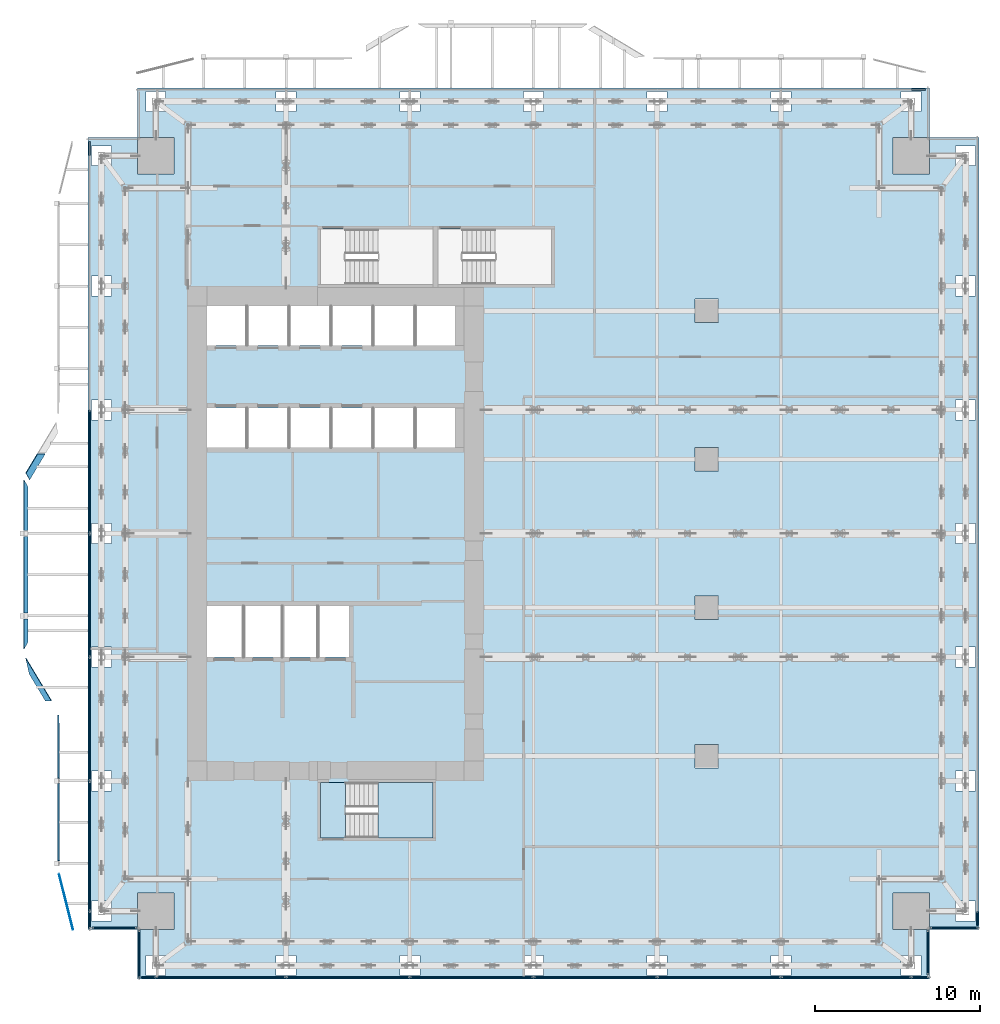
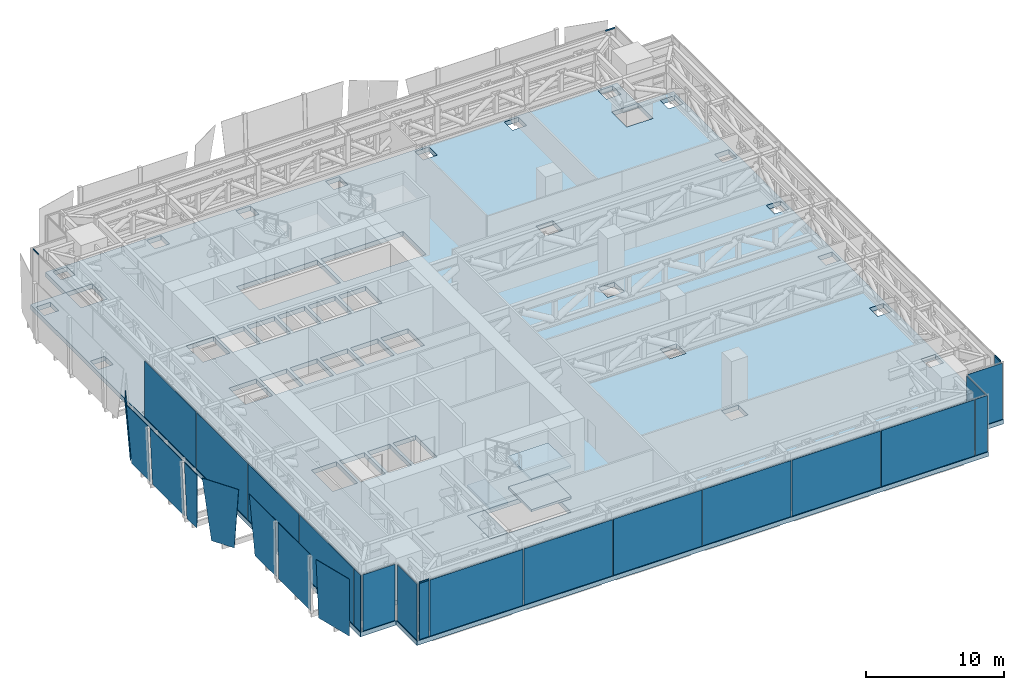
# One storey, part 28 of 39: 26 plates, 5 slabs, 4 members, 9 elements without a shape of their own.
"""IFC4 building model written with IfcOpenShell, lengths in metres."""

from ifc_helpers import new_model, si_unit, direction, frame, origin, origin_2d, place, context, subcontext, project, spatial, polyline, rectangle, hollow_rectangle, outline, extrude, source, transform, mapped, material, layer, layer_set, material_profile, profile_set, type_object, element, aggregate, save


model = new_model("IFC4")

# Units and contexts
model_context = context("Model", 3, precision=1e-05, world=origin(), true_north=direction((0.0, 1.0)))
body_context = subcontext(model_context, "Body", "Model", "MODEL_VIEW")
ifc_project = project(units=[si_unit("LENGTHUNIT", "METRE"), si_unit("AREAUNIT", "SQUARE_METRE"), si_unit("VOLUMEUNIT", "CUBIC_METRE"), si_unit("PLANEANGLEUNIT", "RADIAN"), si_unit("MASSUNIT", "GRAM", prefix="KILO")], contexts=[model_context])

# Site, building, storey
site_placement = place(None, origin())
site = spatial("IfcSite", under=ifc_project, at=site_placement, CompositionType="ELEMENT")
building_placement = place(site_placement, origin())
building = spatial("IfcBuilding", under=site, at=building_placement, Name="Khomas Fold Tower", CompositionType="ELEMENT")
storey_placement = place(building_placement, frame((0.0, 0.0, 96.0)))
storey = spatial("IfcBuildingStorey", under=building, at=storey_placement, Name="L20", CompositionType="ELEMENT", Elevation=96.0)

# Curtain wall, member
ifc_material_1 = material(Name="Aluminium framed double glazing", Category="aluminium")
curtain_wall_type = type_object("IfcCurtainWallType", Name="SK-Plant louvre wall CW4", PredefinedType="NOTDEFINED", material=ifc_material_1)
curtain_wall_1_placement = place(storey_placement, origin())
curtain_wall_1 = element("IfcCurtainWall", 1, at=curtain_wall_1_placement, inside=storey, type_object=curtain_wall_type, Name="CW4 run L20 00-0", PredefinedType="NOTDEFINED")
ifc_material_2 = material(Name="Aluminium", Category="aluminium")
ifc_material_profile = material_profile(ifc_material_2, hollow_rectangle(XDim=0.06005859375, YDim=0.1201171875, WallThickness=0.00390625, at=origin_2d()), Name="SK-Plant louvre wall transom CW4-T")
ifc_profile_set = profile_set([ifc_material_profile], Name="Aluminium")
member_type = type_object("IfcMemberType", Name="SK-Plant louvre wall transom CW4-T", PredefinedType="USERDEFINED", material=ifc_profile_set)
shared_shape_1 = source(origin(), body_context, "Body", "SweptSolid", [
    extrude(hollow_rectangle(XDim=0.06005859375, YDim=0.1201171875, WallThickness=0.00390625, at=origin_2d()), origin(), (0.0, 0.0, 1.0), 0.81005859375),
])
member_1_placement = place(storey_placement, frame((3.260009765625, 0.10009765625, 5.0400390625), z_axis=(1.0, 0.0, 0.0), x_axis=(0.0, 1.0, 0.0)))
member_1 = element("IfcMember", 2, at=member_1_placement, type_object=member_type, Name="CW4 transom 1", ObjectType="TRANSOM", PredefinedType="USERDEFINED", context=body_context, shape_type="MappedRepresentation", body=[
    mapped(shared_shape_1, transform((0.0, 0.0, 0.0))),
])

curtain_wall_2_placement = place(storey_placement, origin())
curtain_wall_2 = element("IfcCurtainWall", 3, at=curtain_wall_2_placement, inside=storey, type_object=curtain_wall_type, Name="CW4 run L20 03-0", PredefinedType="NOTDEFINED")
member_2_placement = place(storey_placement, frame((53.89990234375, 3.260009765625, 5.0400390625), z_axis=(0.0, 1.0, 0.0), x_axis=(-1.0, 0.0, 0.0)))
member_2 = element("IfcMember", 4, at=member_2_placement, type_object=member_type, Name="CW4 transom 1", ObjectType="TRANSOM", PredefinedType="USERDEFINED", context=body_context, shape_type="MappedRepresentation", body=[
    mapped(shared_shape_1, transform((0.0, 0.0, 0.0))),
])

curtain_wall_3_placement = place(storey_placement, origin())
curtain_wall_3 = element("IfcCurtainWall", 5, at=curtain_wall_3_placement, inside=storey, type_object=curtain_wall_type, Name="CW4 run L20 06-0", PredefinedType="NOTDEFINED")
member_3_placement = place(storey_placement, frame((50.739990234375, 53.89990234375, 5.0400390625), z_axis=(-1.0, 0.0, 0.0), x_axis=(0.0, -1.0, 0.0)))
member_3 = element("IfcMember", 6, at=member_3_placement, type_object=member_type, Name="CW4 transom 1", ObjectType="TRANSOM", PredefinedType="USERDEFINED", context=body_context, shape_type="MappedRepresentation", body=[
    mapped(shared_shape_1, transform((0.0, 0.0, 0.0))),
])
aggregate(curtain_wall_3, [member_3])

curtain_wall_4_placement = place(storey_placement, origin())
curtain_wall_4 = element("IfcCurtainWall", 7, at=curtain_wall_4_placement, inside=storey, type_object=curtain_wall_type, Name="CW4 run L20 09-0", PredefinedType="NOTDEFINED")
member_4_placement = place(storey_placement, frame((0.10009765625, 50.739990234375, 5.0400390625), z_axis=(0.0, -1.0, 0.0), x_axis=(1.0, 0.0, 0.0)))
member_4 = element("IfcMember", 8, at=member_4_placement, type_object=member_type, Name="CW4 transom 1", ObjectType="TRANSOM", PredefinedType="USERDEFINED", context=body_context, shape_type="MappedRepresentation", body=[
    mapped(shared_shape_1, transform((0.0, 0.0, 0.0))),
])

# Plates
ifc_material_3 = material(Name="Clear laminated glass", Category="glass")
ifc_layer_1 = layer(ifc_material_3, 0.0400390625)
ifc_layer_set_1 = layer_set([ifc_layer_1], Name="Clear laminated glass")
plate_type_1 = type_object("IfcPlateType", Name="SK-Clear laminated glass leaf", PredefinedType="SHEET", material=ifc_layer_set_1)
plate_1_placement = place(storey_placement, frame((-1.716552734375, 6.10107421875, 0.0), z_axis=(-0.970140352233, -0.24254421587, 1.7827585e-05), x_axis=(0.242544215909, -0.970140352387, 5.01e-10)))
element("IfcPlate", 9, at=plate_1_placement, inside=storey, type_object=plate_type_1, Name="OUTER SKIN glass L20 WG098-1", PredefinedType="SHEET", context=body_context, shape_type="SweptSolid", body=[
    extrude(outline(polyline([(0.0, 0.0), (3.2066099223628046, -3.3881317890172014e-21), (3.206609924890531, 5.05004882732249), (-0.2735039148442797, 5.05004883066943), (0.0, 0.0)])), origin(), (0.0, 0.0, -1.0), 0.0400390625),
])
plate_2_placement = place(storey_placement, frame((-1.727783203125, 7.169921875, 0.0), z_axis=(0.999913554887, 0.0, 0.013148488612), x_axis=(-0.013148488612, 0.0, 0.999913554887)))
element("IfcPlate", 10, at=plate_2_placement, inside=storey, type_object=plate_type_1, Name="OUTER SKIN glass L20 WG099-3", PredefinedType="SHEET", context=body_context, shape_type="SweptSolid", body=[
    extrude(outline(polyline([(0.0, 0.0), (5.050485417906456, 0.0), (5.050485417906456, -4.66015625), (0.0, -4.66015625), (0.0, 0.0)])), origin(), (0.0, 0.0, -1.0), 0.0400390625),
])
plate_3_placement = place(storey_placement, frame((-1.727783203125, 15.27978515625, 0.0), z_axis=(0.999913554887, 0.0, 0.013148488612), x_axis=(0.0, -1.0, 0.0)))
element("IfcPlate", 11, at=plate_3_placement, inside=storey, type_object=plate_type_1, Name="OUTER SKIN glass L20 WG100-5", PredefinedType="SHEET", context=body_context, shape_type="SweptSolid", body=[
    extrude(outline(polyline([(0.0, 0.0), (3.10986328125, 0.0), (3.10986328125, -5.050485417906455), (-0.7119140625, -5.050485417906455), (0.0, 0.0)])), origin(), (0.0, 0.0, -1.0), 0.0400390625),
])
plate_4_placement = place(storey_placement, frame((-3.571044921875, 18.4765625, 0.00244140625), z_axis=(-0.85592770919, -0.513467584892, 0.061145694088), x_axis=(0.514430051663, -0.857532344545, -2.064942e-06)))
element("IfcPlate", 12, at=plate_4_placement, inside=storey, type_object=plate_type_1, Name="OUTER SKIN glass L20 WG101-6", PredefinedType="SHEET", context=body_context, shape_type="SweptSolid", body=[
    extrude(outline(polyline([(0.0, 0.0), (1.897496197007953, 0.0), (2.083112628410441, 5.059520243617111), (-0.9455791857957416, 5.059510052253078), (0.0, 0.0)])), origin(), (0.0, 0.0, -1.0), 0.0400390625),
])
plate_5_placement = place(storey_placement, frame((-3.6591796875, 20.388427734375, 0.0), z_axis=(0.999042164286, 0.0, 0.043757901902), x_axis=(-0.043624572893, -0.078004203187, 0.995998112912)))
element("IfcPlate", 13, at=plate_5_placement, inside=storey, type_object=plate_type_1, Name="OUTER SKIN glass L20 WG101-7", PredefinedType="SHEET", context=body_context, shape_type="SweptSolid", body=[
    extrude(outline(polyline([(0.0, 0.0), (5.070339755321538, 0.0), (4.927033693558756, -1.83156043743348), (-0.11245478999458208, -1.4372577253215546), (0.0, 0.0)])), origin(), (0.0, 0.0, -1.0), 0.0400390625),
])
plate_6_placement = place(storey_placement, frame((-3.6591796875, 22.169921875, 0.0), z_axis=(0.999042164286, 0.0, 0.043757901902), x_axis=(-0.043757901902, 0.0, 0.999042164286)))
element("IfcPlate", 14, at=plate_6_placement, inside=storey, type_object=plate_type_1, Name="OUTER SKIN glass L20 WG102-9", PredefinedType="SHEET", context=body_context, shape_type="SweptSolid", body=[
    extrude(outline(polyline([(0.0, 0.0), (5.054890582855927, 0.0), (5.054890582855927, -4.660156249999999), (0.0, -4.660156249999999), (0.0, 0.0)])), origin(), (0.0, 0.0, -1.0), 0.0400390625),
])
plate_7_placement = place(storey_placement, frame((-3.6591796875, 29.85595703125, 0.0), z_axis=(0.999042164286, 0.0, 0.043757901902), x_axis=(0.0, -1.0, 0.0)))
element("IfcPlate", 15, at=plate_7_placement, inside=storey, type_object=plate_type_1, Name="OUTER SKIN glass L20 WG103-11", PredefinedType="SHEET", context=body_context, shape_type="SweptSolid", body=[
    extrude(outline(polyline([(0.0, 0.0), (2.68603515625, 0.0), (2.68603515625, -5.054890582855927), (-0.3955078125, -5.054890582855927), (0.0, 0.0)])), origin(), (0.0, 0.0, -1.0), 0.0400390625),
])
plate_8_placement = place(storey_placement, frame((-3.538818359375, 30.257080078125, 0.0), z_axis=(0.854892675449, -0.512965958285, 0.077617260355), x_axis=(-0.043623560845, 0.078003595922, 0.995998204799)))
element("IfcPlate", 16, at=plate_8_placement, inside=storey, type_object=plate_type_1, Name="OUTER SKIN glass L20 WG103-12", PredefinedType="SHEET", context=body_context, shape_type="SweptSolid", body=[
    extrude(outline(polyline([(0.0, 0.0), (5.070339755317986, 5.551115123125783e-17), (5.131366307575237, -1.3718461935006123), (0.08152550837348109, -1.8326278523283441), (0.0, 0.0)])), origin(), (0.0, 0.0, -1.0), 0.0400390625),
])

# Slab
ifc_material_4 = material(Name="Concrete C40/50", Category="concrete")
ifc_layer_2 = layer(ifc_material_4, 0.39990234375)
ifc_layer_set_2 = layer_set([ifc_layer_2], Name="Concrete C40/50")
slab_type_1 = type_object("IfcSlabType", Name="RC floor slab 400", PredefinedType="FLOOR", material=ifc_layer_set_2)
shared_shape_2 = source(origin(), body_context, "Body", "SweptSolid", [
    extrude(outline(polyline([(0.0, 3.0), (2.9951171875, 3.0), (2.9951171875, 5.205078125), (5.205078125, 5.205078125), (5.205078125, 2.9951171875), (3.0, 2.9951171875), (3.0, 0.0), (51.0, 0.0), (51.0, 2.9951171875), (48.794921875, 2.9951171875), (48.794921875, 5.205078125), (51.0048828125, 5.205078125), (51.0048828125, 3.0), (54.0, 3.0), (54.0, 51.0), (51.0048828125, 51.0), (51.0048828125, 48.794921875), (48.794921875, 48.794921875), (48.794921875, 51.0048828125), (51.0, 51.0048828125), (51.0, 54.0), (3.0, 54.0), (3.0, 51.0048828125), (5.205078125, 51.0048828125), (5.205078125, 48.794921875), (2.9951171875, 48.794921875), (2.9951171875, 51.0), (0.0, 51.0), (0.0, 3.0)]), holes=[polyline([(0.195068359375, 3.4951171875), (0.195068359375, 4.705078125), (1.405029296875, 4.705078125), (1.405029296875, 3.4951171875), (0.195068359375, 3.4951171875)]), polyline([(0.195068359375, 11.39501953125), (0.195068359375, 12.60498046875), (1.405029296875, 12.60498046875), (1.405029296875, 11.39501953125), (0.195068359375, 11.39501953125)]), polyline([(0.195068359375, 18.89501953125), (0.195068359375, 20.10498046875), (1.405029296875, 20.10498046875), (1.405029296875, 18.89501953125), (0.195068359375, 18.89501953125)]), polyline([(0.195068359375, 26.39501953125), (0.195068359375, 27.60498046875), (1.405029296875, 27.60498046875), (1.405029296875, 26.39501953125), (0.195068359375, 26.39501953125)]), polyline([(0.195068359375, 33.89501953125), (0.195068359375, 35.10498046875), (1.405029296875, 35.10498046875), (1.405029296875, 33.89501953125), (0.195068359375, 33.89501953125)]), polyline([(0.195068359375, 41.39501953125), (0.195068359375, 42.60498046875), (1.405029296875, 42.60498046875), (1.405029296875, 41.39501953125), (0.195068359375, 41.39501953125)]), polyline([(0.195068359375, 49.294921875), (0.195068359375, 50.5048828125), (1.405029296875, 50.5048828125), (1.405029296875, 49.294921875), (0.195068359375, 49.294921875)]), polyline([(3.4951171875, 0.195068359375), (3.4951171875, 1.405029296875), (4.705078125, 1.405029296875), (4.705078125, 0.195068359375), (3.4951171875, 0.195068359375)]), polyline([(3.4951171875, 52.594970703125), (3.4951171875, 53.804931640625), (4.705078125, 53.804931640625), (4.705078125, 52.594970703125), (3.4951171875, 52.594970703125)]), polyline([(7.199951171875, 19.5), (7.199951171875, 22.60009765625), (9.300048828125, 22.60009765625), (9.300048828125, 19.5), (7.199951171875, 19.5)]), polyline([(7.199951171875, 32.199951171875), (7.199951171875, 34.60009765625), (9.5, 34.60009765625), (9.5, 32.199951171875), (7.199951171875, 32.199951171875)]), polyline([(7.199951171875, 38.39990234375), (7.199951171875, 40.800048828125), (9.5, 40.800048828125), (9.5, 38.39990234375), (7.199951171875, 38.39990234375)]), polyline([(9.550048828125, 19.5), (9.550048828125, 22.60009765625), (11.64990234375, 22.60009765625), (11.64990234375, 19.5), (9.550048828125, 19.5)]), polyline([(9.75, 32.199951171875), (9.75, 34.60009765625), (12.050048828125, 34.60009765625), (12.050048828125, 32.199951171875), (9.75, 32.199951171875)]), polyline([(9.75, 38.39990234375), (9.75, 40.800048828125), (12.050048828125, 40.800048828125), (12.050048828125, 38.39990234375), (9.75, 38.39990234375)]), polyline([(11.39501953125, 0.195068359375), (11.39501953125, 1.405029296875), (12.60498046875, 1.405029296875), (12.60498046875, 0.195068359375), (11.39501953125, 0.195068359375)]), polyline([(11.39501953125, 52.594970703125), (11.39501953125, 53.804931640625), (12.60498046875, 53.804931640625), (12.60498046875, 52.594970703125), (11.39501953125, 52.594970703125)]), polyline([(11.89990234375, 19.5), (11.89990234375, 22.60009765625), (13.800048828125, 22.60009765625), (13.800048828125, 19.5), (11.89990234375, 19.5)]), polyline([(12.300048828125, 32.199951171875), (12.300048828125, 34.60009765625), (14.60009765625, 34.60009765625), (14.60009765625, 32.199951171875), (12.300048828125, 32.199951171875)]), polyline([(12.300048828125, 38.39990234375), (12.300048828125, 40.800048828125), (14.60009765625, 40.800048828125), (14.60009765625, 38.39990234375), (12.300048828125, 38.39990234375)]), polyline([(14.050048828125, 19.5), (14.050048828125, 22.60009765625), (15.949951171875, 22.60009765625), (15.949951171875, 19.5), (14.050048828125, 19.5)]), polyline([(14.10009765625, 8.550048828125), (14.10009765625, 11.89990234375), (20.89990234375, 11.89990234375), (20.89990234375, 8.550048828125), (14.10009765625, 8.550048828125)]), polyline([(14.10009765625, 42.10009765625), (14.10009765625, 45.449951171875), (20.89990234375, 45.449951171875), (20.89990234375, 42.10009765625), (14.10009765625, 42.10009765625)]), polyline([(14.85009765625, 32.199951171875), (14.85009765625, 34.60009765625), (17.14990234375, 34.60009765625), (17.14990234375, 32.199951171875), (14.85009765625, 32.199951171875)]), polyline([(14.85009765625, 38.39990234375), (14.85009765625, 40.800048828125), (17.14990234375, 40.800048828125), (17.14990234375, 38.39990234375), (14.85009765625, 38.39990234375)]), polyline([(17.39990234375, 32.199951171875), (17.39990234375, 34.60009765625), (19.699951171875, 34.60009765625), (19.699951171875, 32.199951171875), (17.39990234375, 32.199951171875)]), polyline([(17.39990234375, 38.39990234375), (17.39990234375, 40.800048828125), (19.699951171875, 40.800048828125), (19.699951171875, 38.39990234375), (17.39990234375, 38.39990234375)]), polyline([(18.89501953125, 0.195068359375), (18.89501953125, 1.405029296875), (20.10498046875, 1.405029296875), (20.10498046875, 0.195068359375), (18.89501953125, 0.195068359375)]), polyline([(18.89501953125, 52.594970703125), (18.89501953125, 53.804931640625), (20.10498046875, 53.804931640625), (20.10498046875, 52.594970703125), (18.89501953125, 52.594970703125)]), polyline([(19.949951171875, 32.199951171875), (19.949951171875, 34.60009765625), (22.25, 34.60009765625), (22.25, 32.199951171875), (19.949951171875, 32.199951171875)]), polyline([(19.949951171875, 38.39990234375), (19.949951171875, 40.800048828125), (22.25, 40.800048828125), (22.25, 38.39990234375), (19.949951171875, 38.39990234375)]), polyline([(21.199951171875, 42.10009765625), (21.199951171875, 45.449951171875), (28.10009765625, 45.449951171875), (28.10009765625, 42.10009765625), (21.199951171875, 42.10009765625)]), polyline([(26.39501953125, 0.195068359375), (26.39501953125, 1.405029296875), (27.60498046875, 1.405029296875), (27.60498046875, 0.195068359375), (26.39501953125, 0.195068359375)]), polyline([(26.39501953125, 52.594970703125), (26.39501953125, 53.804931640625), (27.60498046875, 53.804931640625), (27.60498046875, 52.594970703125), (26.39501953125, 52.594970703125)]), polyline([(33.89501953125, 0.195068359375), (33.89501953125, 1.405029296875), (35.10498046875, 1.405029296875), (35.10498046875, 0.195068359375), (33.89501953125, 0.195068359375)]), polyline([(33.89501953125, 52.594970703125), (33.89501953125, 53.804931640625), (35.10498046875, 53.804931640625), (35.10498046875, 52.594970703125), (33.89501953125, 52.594970703125)]), polyline([(36.794921875, 12.794921875), (36.794921875, 14.205078125), (38.205078125, 14.205078125), (38.205078125, 12.794921875), (36.794921875, 12.794921875)]), polyline([(36.794921875, 21.794921875), (36.794921875, 23.205078125), (38.205078125, 23.205078125), (38.205078125, 21.794921875), (36.794921875, 21.794921875)]), polyline([(36.794921875, 30.794921875), (36.794921875, 32.205078125), (38.205078125, 32.205078125), (38.205078125, 30.794921875), (36.794921875, 30.794921875)]), polyline([(36.794921875, 39.794921875), (36.794921875, 41.205078125), (38.205078125, 41.205078125), (38.205078125, 39.794921875), (36.794921875, 39.794921875)]), polyline([(41.39501953125, 0.195068359375), (41.39501953125, 1.405029296875), (42.60498046875, 1.405029296875), (42.60498046875, 0.195068359375), (41.39501953125, 0.195068359375)]), polyline([(41.39501953125, 52.594970703125), (41.39501953125, 53.804931640625), (42.60498046875, 53.804931640625), (42.60498046875, 52.594970703125), (41.39501953125, 52.594970703125)]), polyline([(49.294921875, 0.195068359375), (49.294921875, 1.405029296875), (50.5048828125, 1.405029296875), (50.5048828125, 0.195068359375), (49.294921875, 0.195068359375)]), polyline([(49.294921875, 52.594970703125), (49.294921875, 53.804931640625), (50.5048828125, 53.804931640625), (50.5048828125, 52.594970703125), (49.294921875, 52.594970703125)]), polyline([(52.594970703125, 3.4951171875), (52.594970703125, 4.705078125), (53.804931640625, 4.705078125), (53.804931640625, 3.4951171875), (52.594970703125, 3.4951171875)]), polyline([(52.594970703125, 11.39501953125), (52.594970703125, 12.60498046875), (53.804931640625, 12.60498046875), (53.804931640625, 11.39501953125), (52.594970703125, 11.39501953125)]), polyline([(52.594970703125, 18.89501953125), (52.594970703125, 20.10498046875), (53.804931640625, 20.10498046875), (53.804931640625, 18.89501953125), (52.594970703125, 18.89501953125)]), polyline([(52.594970703125, 26.39501953125), (52.594970703125, 27.60498046875), (53.804931640625, 27.60498046875), (53.804931640625, 26.39501953125), (52.594970703125, 26.39501953125)]), polyline([(52.594970703125, 33.89501953125), (52.594970703125, 35.10498046875), (53.804931640625, 35.10498046875), (53.804931640625, 33.89501953125), (52.594970703125, 33.89501953125)]), polyline([(52.594970703125, 41.39501953125), (52.594970703125, 42.60498046875), (53.804931640625, 42.60498046875), (53.804931640625, 41.39501953125), (52.594970703125, 41.39501953125)]), polyline([(52.594970703125, 49.294921875), (52.594970703125, 50.5048828125), (53.804931640625, 50.5048828125), (53.804931640625, 49.294921875), (52.594970703125, 49.294921875)])]), origin(), (0.0, 0.0, 1.0), 0.39990234375),
])
slab_1_placement = place(storey_placement, frame((0.0, 0.0, -0.39990234375)))
element("IfcSlab", 17, at=slab_1_placement, inside=storey, type_object=slab_type_1, Name="S-L20", PredefinedType="FLOOR", context=body_context, shape_type="MappedRepresentation", body=[
    mapped(shared_shape_2, transform((0.0, 0.0, 0.0))),
])

# Plate
ifc_material_5 = material(Name="Aluminium louvre blades", Category="aluminium")
ifc_layer_3 = layer(ifc_material_5, 0.080078125)
ifc_layer_set_3 = layer_set([ifc_layer_3], Name="Aluminium louvre blades")
plate_type_2 = type_object("IfcPlateType", Name="SK-Plant louvre wall louvre panel CW4-P", PredefinedType="CURTAIN_PANEL", material=ifc_layer_set_3)
shared_shape_3 = source(origin(), body_context, "Body", "SweptSolid", [
    extrude(rectangle(XDim=0.81005859375, YDim=0.080078125, at=origin_2d()), origin(), (0.0, 0.0, 1.0), 4.97998046875),
])
plate_9_placement = place(storey_placement, frame((3.6650390625, 0.10009765625, 0.0), z_axis=(0.0, 0.0, 1.0), x_axis=(1.0, 0.0, 0.0)))
plate_9 = element("IfcPlate", 18, at=plate_9_placement, type_object=plate_type_2, Name="CW4 louvre panel 1", PredefinedType="CURTAIN_PANEL", context=body_context, shape_type="MappedRepresentation", body=[
    mapped(shared_shape_3, transform((0.0, 0.0, 0.0))),
])

plate_10_placement = place(storey_placement, frame((53.89990234375, 3.6650390625, 0.0), z_axis=(0.0, 0.0, 1.0), x_axis=(0.0, 1.0, 0.0)))
plate_10 = element("IfcPlate", 19, at=plate_10_placement, type_object=plate_type_2, Name="CW4 louvre panel 1", PredefinedType="CURTAIN_PANEL", context=body_context, shape_type="MappedRepresentation", body=[
    mapped(shared_shape_3, transform((0.0, 0.0, 0.0))),
])

aggregate(curtain_wall_2, [member_2, plate_10])

shared_shape_4 = source(origin(), body_context, "Body", "SweptSolid", [
    extrude(rectangle(XDim=7.840087890625, YDim=0.080078125, at=origin_2d()), origin(), (0.0, 0.0, 1.0), 4.97998046875),
])
plate_11_placement = place(storey_placement, frame((8.050048828125, 0.10009765625, 0.0), z_axis=(0.0, 0.0, 1.0), x_axis=(1.0, 0.0, 0.0)))
plate_11 = element("IfcPlate", 20, at=plate_11_placement, type_object=plate_type_2, Name="CW4 louvre panel 2", PredefinedType="CURTAIN_PANEL", context=body_context, shape_type="MappedRepresentation", body=[
    mapped(shared_shape_4, transform((0.0, 0.0, 0.0))),
])

plate_12_placement = place(storey_placement, frame((45.949951171875, 0.10009765625, 0.0), z_axis=(0.0, 0.0, 1.0), x_axis=(1.0, 0.0, 0.0)))
plate_12 = element("IfcPlate", 21, at=plate_12_placement, type_object=plate_type_2, Name="CW4 louvre panel 7", PredefinedType="CURTAIN_PANEL", context=body_context, shape_type="MappedRepresentation", body=[
    mapped(shared_shape_4, transform((0.0, 0.0, 0.0))),
])

plate_13_placement = place(storey_placement, frame((0.10009765625, 8.050048828125, 0.0), z_axis=(0.0, 0.0, 1.0), x_axis=(0.0, -1.0, 0.0)))
plate_13 = element("IfcPlate", 22, at=plate_13_placement, type_object=plate_type_2, Name="CW4 louvre panel 7", PredefinedType="CURTAIN_PANEL", context=body_context, shape_type="MappedRepresentation", body=[
    mapped(shared_shape_4, transform((0.0, 0.0, 0.0))),
])

shared_shape_5 = source(origin(), body_context, "Body", "SweptSolid", [
    extrude(rectangle(XDim=7.43994140625, YDim=0.080078125, at=origin_2d()), origin(), (0.0, 0.0, 1.0), 4.97998046875),
])
plate_14_placement = place(storey_placement, frame((15.75, 0.10009765625, 0.0), z_axis=(0.0, 0.0, 1.0), x_axis=(1.0, 0.0, 0.0)))
plate_14 = element("IfcPlate", 23, at=plate_14_placement, type_object=plate_type_2, Name="CW4 louvre panel 3", PredefinedType="CURTAIN_PANEL", context=body_context, shape_type="MappedRepresentation", body=[
    mapped(shared_shape_5, transform((0.0, 0.0, 0.0))),
])

plate_15_placement = place(storey_placement, frame((23.25, 0.10009765625, 0.0), z_axis=(0.0, 0.0, 1.0), x_axis=(1.0, 0.0, 0.0)))
plate_15 = element("IfcPlate", 24, at=plate_15_placement, type_object=plate_type_2, Name="CW4 louvre panel 4", PredefinedType="CURTAIN_PANEL", context=body_context, shape_type="MappedRepresentation", body=[
    mapped(shared_shape_5, transform((0.0, 0.0, 0.0))),
])

plate_16_placement = place(storey_placement, frame((30.75, 0.10009765625, 0.0), z_axis=(0.0, 0.0, 1.0), x_axis=(1.0, 0.0, 0.0)))
plate_16 = element("IfcPlate", 25, at=plate_16_placement, type_object=plate_type_2, Name="CW4 louvre panel 5", PredefinedType="CURTAIN_PANEL", context=body_context, shape_type="MappedRepresentation", body=[
    mapped(shared_shape_5, transform((0.0, 0.0, 0.0))),
])

plate_17_placement = place(storey_placement, frame((38.25, 0.10009765625, 0.0), z_axis=(0.0, 0.0, 1.0), x_axis=(1.0, 0.0, 0.0)))
plate_17 = element("IfcPlate", 26, at=plate_17_placement, type_object=plate_type_2, Name="CW4 louvre panel 6", PredefinedType="CURTAIN_PANEL", context=body_context, shape_type="MappedRepresentation", body=[
    mapped(shared_shape_5, transform((0.0, 0.0, 0.0))),
])

plate_18_placement = place(storey_placement, frame((0.10009765625, 30.75, 0.0), z_axis=(0.0, 0.0, 1.0), x_axis=(0.0, -1.0, 0.0)))
plate_18 = element("IfcPlate", 27, at=plate_18_placement, type_object=plate_type_2, Name="CW4 louvre panel 4", PredefinedType="CURTAIN_PANEL", context=body_context, shape_type="MappedRepresentation", body=[
    mapped(shared_shape_5, transform((0.0, 0.0, 0.0))),
])

plate_19_placement = place(storey_placement, frame((0.10009765625, 23.25, 0.0), z_axis=(0.0, 0.0, 1.0), x_axis=(0.0, -1.0, 0.0)))
plate_19 = element("IfcPlate", 28, at=plate_19_placement, type_object=plate_type_2, Name="CW4 louvre panel 5", PredefinedType="CURTAIN_PANEL", context=body_context, shape_type="MappedRepresentation", body=[
    mapped(shared_shape_5, transform((0.0, 0.0, 0.0))),
])

plate_20_placement = place(storey_placement, frame((0.10009765625, 15.75, 0.0), z_axis=(0.0, 0.0, 1.0), x_axis=(0.0, -1.0, 0.0)))
plate_20 = element("IfcPlate", 29, at=plate_20_placement, type_object=plate_type_2, Name="CW4 louvre panel 6", PredefinedType="CURTAIN_PANEL", context=body_context, shape_type="MappedRepresentation", body=[
    mapped(shared_shape_5, transform((0.0, 0.0, 0.0))),
])

shared_shape_6 = source(origin(), body_context, "Body", "SweptSolid", [
    extrude(rectangle(XDim=1.010009765625, YDim=0.080078125, at=origin_2d()), origin(), (0.0, 0.0, 1.0), 4.97998046875),
])
plate_21_placement = place(storey_placement, frame((50.43505859375, 0.10009765625, 0.0), z_axis=(0.0, 0.0, 1.0), x_axis=(1.0, 0.0, 0.0)))
plate_21 = element("IfcPlate", 30, at=plate_21_placement, type_object=plate_type_2, Name="CW4 louvre panel 8", PredefinedType="CURTAIN_PANEL", context=body_context, shape_type="MappedRepresentation", body=[
    mapped(shared_shape_6, transform((0.0, 0.0, 0.0))),
])

aggregate(curtain_wall_1, [member_1, plate_9, plate_11, plate_14, plate_15, plate_16, plate_17, plate_12, plate_21])

plate_22_placement = place(storey_placement, frame((0.10009765625, 3.56494140625, 0.0), z_axis=(0.0, 0.0, 1.0), x_axis=(0.0, -1.0, 0.0)))
plate_22 = element("IfcPlate", 31, at=plate_22_placement, type_object=plate_type_2, Name="CW4 louvre panel 8", PredefinedType="CURTAIN_PANEL", context=body_context, shape_type="MappedRepresentation", body=[
    mapped(shared_shape_6, transform((0.0, 0.0, 0.0))),
])

aggregate(curtain_wall_4, [member_4, plate_18, plate_19, plate_20, plate_13, plate_22])

# Curtain wall, plate
curtain_wall_5_placement = place(storey_placement, origin())
curtain_wall_5 = element("IfcCurtainWall", 32, at=curtain_wall_5_placement, inside=storey, type_object=curtain_wall_type, Name="CW4 corner return L20 01", PredefinedType="NOTDEFINED")
shared_shape_7 = source(origin(), body_context, "Body", "SweptSolid", [
    extrude(rectangle(XDim=2.679931640625, YDim=0.080078125, at=origin_2d()), origin(), (0.0, 0.0, 1.0), 4.97998046875),
])
plate_23_placement = place(storey_placement, frame((50.89990234375, 1.60009765625, 0.0), z_axis=(0.0, 0.0, 1.0), x_axis=(0.0, 1.0, 0.0)))
plate_23 = element("IfcPlate", 33, at=plate_23_placement, type_object=plate_type_2, Name="CW4 louvre panel 1", PredefinedType="CURTAIN_PANEL", context=body_context, shape_type="MappedRepresentation", body=[
    mapped(shared_shape_7, transform((0.0, 0.0, 0.0))),
])
aggregate(curtain_wall_5, [plate_23])

curtain_wall_6_placement = place(storey_placement, origin())
curtain_wall_6 = element("IfcCurtainWall", 34, at=curtain_wall_6_placement, inside=storey, type_object=curtain_wall_type, Name="CW4 corner return L20 10", PredefinedType="NOTDEFINED")
plate_24_placement = place(storey_placement, frame((1.60009765625, 3.10009765625, 0.0), z_axis=(0.0, 0.0, 1.0), x_axis=(1.0, 0.0, 0.0)))
plate_24 = element("IfcPlate", 35, at=plate_24_placement, type_object=plate_type_2, Name="CW4 louvre panel 1", PredefinedType="CURTAIN_PANEL", context=body_context, shape_type="MappedRepresentation", body=[
    mapped(shared_shape_7, transform((0.0, 0.0, 0.0))),
])
aggregate(curtain_wall_6, [plate_24])

curtain_wall_7_placement = place(storey_placement, origin())
curtain_wall_7 = element("IfcCurtainWall", 36, at=curtain_wall_7_placement, inside=storey, type_object=curtain_wall_type, Name="CW4 corner return L20 02", PredefinedType="NOTDEFINED")
shared_shape_8 = source(origin(), body_context, "Body", "SweptSolid", [
    extrude(rectangle(XDim=2.8798828125, YDim=0.080078125, at=origin_2d()), origin(), (0.0, 0.0, 1.0), 4.97998046875),
])
plate_25_placement = place(storey_placement, frame((52.5, 3.10009765625, 0.0), z_axis=(0.0, 0.0, 1.0), x_axis=(1.0, 0.0, 0.0)))
plate_25 = element("IfcPlate", 37, at=plate_25_placement, type_object=plate_type_2, Name="CW4 louvre panel 1", PredefinedType="CURTAIN_PANEL", context=body_context, shape_type="MappedRepresentation", body=[
    mapped(shared_shape_8, transform((0.0, 0.0, 0.0))),
])
aggregate(curtain_wall_7, [plate_25])

curtain_wall_8_placement = place(storey_placement, origin())
curtain_wall_8 = element("IfcCurtainWall", 38, at=curtain_wall_8_placement, inside=storey, type_object=curtain_wall_type, Name="CW4 corner return L20 11", PredefinedType="NOTDEFINED")
plate_26_placement = place(storey_placement, frame((3.10009765625, 1.5, 0.0), z_axis=(0.0, 0.0, 1.0), x_axis=(0.0, -1.0, 0.0)))
plate_26 = element("IfcPlate", 39, at=plate_26_placement, type_object=plate_type_2, Name="CW4 louvre panel 1", PredefinedType="CURTAIN_PANEL", context=body_context, shape_type="MappedRepresentation", body=[
    mapped(shared_shape_8, transform((0.0, 0.0, 0.0))),
])
aggregate(curtain_wall_8, [plate_26])

# Stair, slabs
ifc_material_6 = material(Name="Concrete C40/50", Category="concrete")
stair_type = type_object("IfcStairType", Name="Stair ST2", PredefinedType="HALF_TURN_STAIR", material=ifc_material_6)
stair_placement = place(storey_placement, origin())
stair = element("IfcStair", 40, at=stair_placement, inside=storey, type_object=stair_type, Name="L20 ST2", PredefinedType="HALF_TURN_STAIR")
ifc_material_7 = material(Name="Concrete C40/50", Category="concrete")
ifc_layer_4 = layer(ifc_material_7, 0.199951171875)
ifc_layer_set_4 = layer_set([ifc_layer_4], Name="Concrete C40/50")
slab_type_2 = type_object("IfcSlabType", Name="Stair landing 200", PredefinedType="LANDING", material=ifc_layer_set_4)
shared_shape_9 = source(origin(), body_context, "Body", "SweptSolid", [
    extrude(outline(polyline([(14.10009765625, 8.550048828125), (15.60009765625, 8.550048828125), (15.60009765625, 11.89990234375), (14.10009765625, 11.89990234375), (14.10009765625, 8.550048828125)])), origin(), (0.0, 0.0, 1.0), 0.199951171875),
])
slab_2_placement = place(storey_placement, frame((0.0, 0.0, 2.550048828125)))
slab_2 = element("IfcSlab", 41, at=slab_2_placement, type_object=slab_type_2, Name="ST2 landing 2", PredefinedType="LANDING", context=body_context, shape_type="MappedRepresentation", body=[
    mapped(shared_shape_9, transform((0.0, 0.0, 0.0))),
])
shared_shape_10 = source(origin(), body_context, "Body", "SweptSolid", [
    extrude(outline(polyline([(17.56005859375, 8.550048828125), (20.89990234375, 8.550048828125), (20.89990234375, 11.89990234375), (17.56005859375, 11.89990234375), (17.56005859375, 8.550048828125)])), origin(), (0.0, 0.0, 1.0), 0.199951171875),
])
slab_3_placement = place(storey_placement, frame((0.0, 0.0, 1.175048828125)))
slab_3 = element("IfcSlab", 42, at=slab_3_placement, type_object=slab_type_2, Name="ST2 landing 1", PredefinedType="LANDING", context=body_context, shape_type="MappedRepresentation", body=[
    mapped(shared_shape_10, transform((0.0, 0.0, 0.0))),
])
slab_4_placement = place(storey_placement, frame((0.0, 0.0, 3.925048828125)))
slab_4 = element("IfcSlab", 43, at=slab_4_placement, type_object=slab_type_2, Name="ST2 landing 3", PredefinedType="LANDING", context=body_context, shape_type="MappedRepresentation", body=[
    mapped(shared_shape_10, transform((0.0, 0.0, 0.0))),
])
aggregate(stair, [slab_3, slab_2, slab_4])

# Slab
ifc_material_8 = material(Name="Concrete C40/50", Category="concrete")
ifc_layer_5 = layer(ifc_material_8, 0.39990234375)
ifc_layer_set_5 = layer_set([ifc_layer_5], Name="Concrete C40/50")
slab_type_3 = type_object("IfcSlabType", Name="Stair floor landing 400", PredefinedType="LANDING", material=ifc_layer_set_5)
shared_shape_11 = source(origin(), body_context, "Body", "SweptSolid", [
    extrude(outline(polyline([(14.10009765625, 11.89990234375), (15.60009765625, 11.89990234375), (15.60009765625, 8.550048828125), (14.10009765625, 8.550048828125), (14.10009765625, 11.89990234375)])), origin(), (0.0, 0.0, 1.0), 0.39990234375),
])
slab_5_placement = place(storey_placement, frame((0.0, 0.0, -0.39990234375)))
element("IfcSlab", 44, at=slab_5_placement, inside=storey, type_object=slab_type_3, Name="ST2 floor landing", PredefinedType="LANDING", context=body_context, shape_type="MappedRepresentation", body=[
    mapped(shared_shape_11, transform((0.0, 0.0, 0.0))),
])

save(model, "model.ifc")
